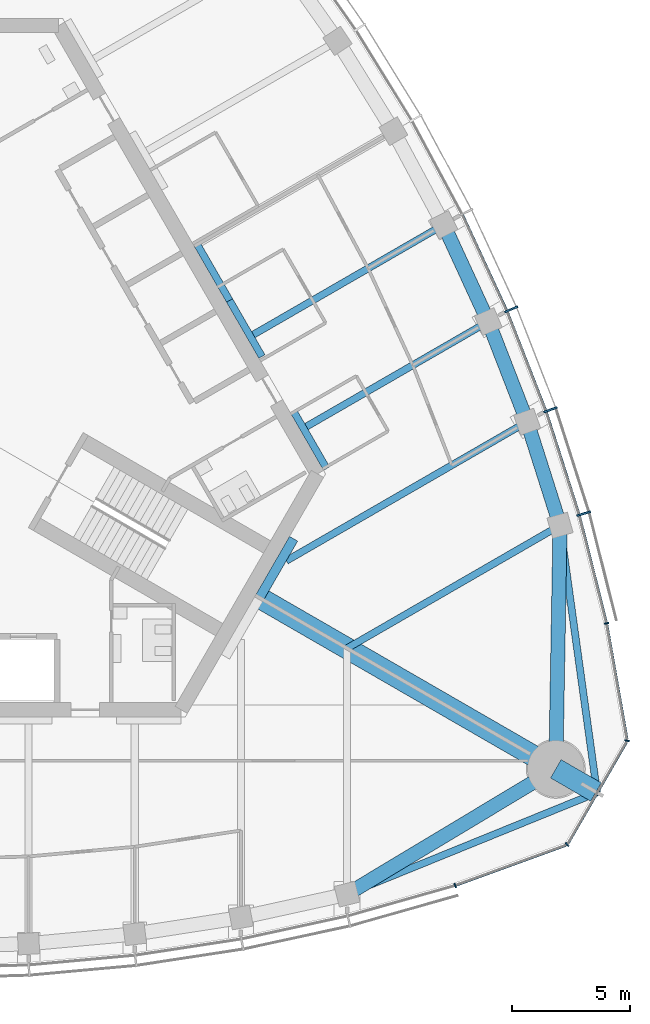
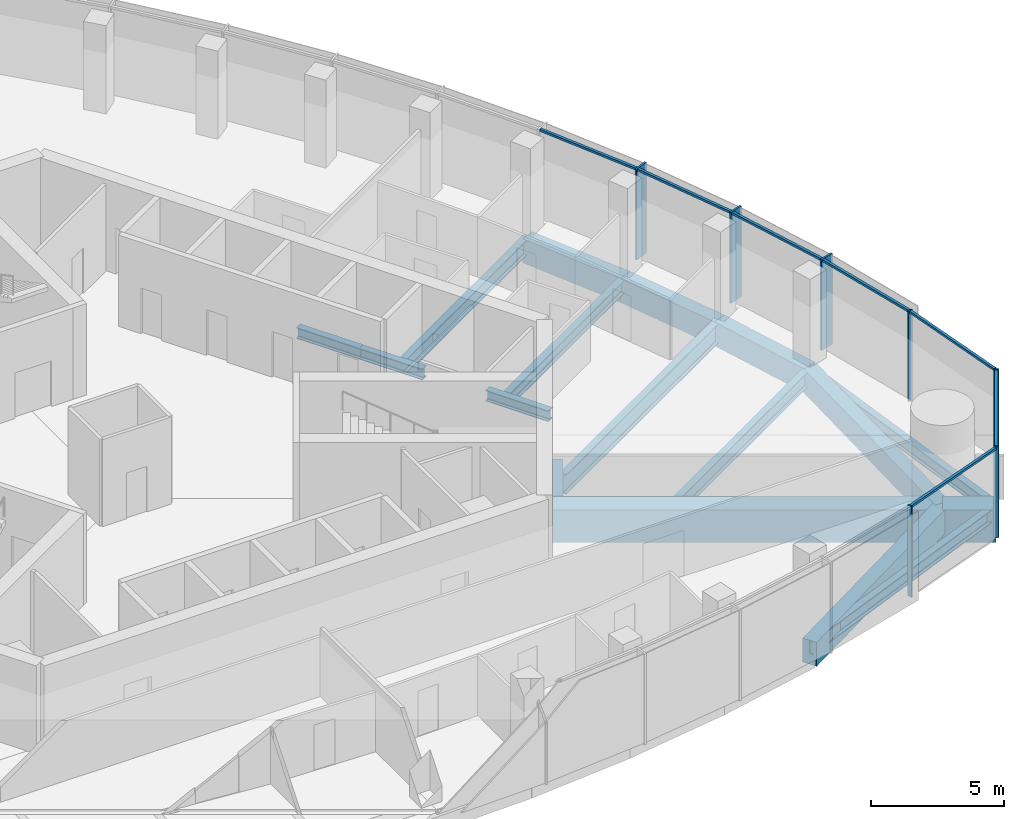
# One storey, part 4 of 16: 17 beams, 14 members, 2 elements without a shape of their own.
"""IFC4 building model written with IfcOpenShell, lengths in metres."""

import ifcopenshell
import ifcopenshell.guid

model = None  # the IFC model being written
_history = None  # IfcOwnerHistory: only IFC2X3 demands one
_inside = {}  # id of a spatial element -> (the spatial element, [elements in it])
_under = {}  # id of a project, library or spatial element -> (it, [spatial elements below it])
_declared = {}  # id of a project -> (the project, [libraries it declares])
_typed = {}  # id of a type object -> (the type object, [elements of that type])
_made_of = {}  # id of a material, layer set ... -> (it, [elements and type objects made of it])


def new_model(schema):
    """Start an empty IFC model of exactly this schema.

    Asked for "IFC4X3", IfcOpenShell would pick the latest addendum, in which some entities
    have other attributes; the version numbers below select the first issue.
    IFC2X3 requires an IfcOwnerHistory on every rooted entity: one is made here for all.
    """
    global model, _history
    if schema == "IFC4X3":
        model = ifcopenshell.file(schema_version=(4, 3, 0, 0))
    else:
        model = ifcopenshell.file(schema=schema)
    _inside.clear()
    _under.clear()
    _declared.clear()
    _typed.clear()
    _made_of.clear()
    _history = None
    if model.schema == "IFC2X3":
        org = make("IfcOrganization", Name="unknown")
        user = make(
            "IfcPersonAndOrganization",
            ThePerson=make("IfcPerson", FamilyName="unknown"),
            TheOrganization=org,
        )
        app = make(
            "IfcApplication",
            ApplicationDeveloper=org,
            Version="unknown",
            ApplicationFullName="unknown",
            ApplicationIdentifier="unknown",
        )
        _history = make(
            "IfcOwnerHistory",
            OwningUser=user,
            OwningApplication=app,
            ChangeAction="ADDED",
            CreationDate=0,
        )
    return model


def make(cls, **values):
    """One entity of the class cls with the attributes given. An attribute that is None is left unset."""
    return model.create_entity(
        cls, **{name: value for name, value in values.items() if value is not None}
    )


def rooted(cls, **values):
    """An entity with a GlobalId (a new one), such as an element, a storey or a relation."""
    return make(cls, GlobalId=ifcopenshell.guid.new(), OwnerHistory=_history, **values)


def si_unit(unit_type, name, prefix=None):
    """IfcSIUnit, for example si_unit("LENGTHUNIT", "METRE", prefix="MILLI")."""
    return make("IfcSIUnit", UnitType=unit_type, Prefix=prefix, Name=name)


def assignment(units):
    """IfcUnitAssignment: the units of a project."""
    return None if units is None else make("IfcUnitAssignment", Units=units)


def point(xyz):
    """IfcCartesianPoint."""
    return None if xyz is None else make("IfcCartesianPoint", Coordinates=xyz)


def direction(xyz):
    """IfcDirection."""
    return None if xyz is None else make("IfcDirection", DirectionRatios=xyz)


def frame(location, z_axis=None, x_axis=None):
    """IfcAxis2Placement3D, a coordinate frame: its origin and axes. An axis left out is left unset."""
    return make(
        "IfcAxis2Placement3D",
        Location=point(location),
        Axis=direction(z_axis),
        RefDirection=direction(x_axis),
    )


def frame_2d(location, x_axis=None):
    """IfcAxis2Placement2D, a coordinate frame in the plane: its origin and x axis."""
    return make(
        "IfcAxis2Placement2D", Location=point(location), RefDirection=direction(x_axis)
    )


def origin():
    """The frame at (0, 0, 0) with its axes left unset."""
    return frame((0.0, 0.0, 0.0))


def origin_2d():
    """The frame at (0, 0) in the plane with its x axis left unset."""
    return frame_2d((0.0, 0.0))


def place(relative_to, where):
    """IfcLocalPlacement: puts the frame where relative to a parent placement (None: the world)."""
    return make(
        "IfcLocalPlacement", PlacementRelTo=relative_to, RelativePlacement=where
    )


def context(
    kind, dimensions, precision=None, world=None, true_north=None, identifier=None
):
    """IfcGeometricRepresentationContext, for example the 3D "Model" context."""
    return make(
        "IfcGeometricRepresentationContext",
        ContextIdentifier=identifier,
        ContextType=kind,
        CoordinateSpaceDimension=dimensions,
        Precision=precision,
        WorldCoordinateSystem=world,
        TrueNorth=true_north,
    )


def subcontext(parent, identifier, kind, view, scale=None):
    """IfcGeometricRepresentationSubContext, for example "Body" below "Model"."""
    return make(
        "IfcGeometricRepresentationSubContext",
        ContextIdentifier=identifier,
        ContextType=kind,
        ParentContext=parent,
        TargetScale=scale,
        TargetView=view,
    )


def project(units=None, contexts=None):
    """IfcProject with its units and contexts."""
    return rooted(
        "IfcProject",
        Name="project",
        RepresentationContexts=contexts,
        UnitsInContext=assignment(units),
    )


def spatial(cls, under=None, at=None, **own):
    """A site, building, storey or space (cls), placed at a placement, below another one or the project."""
    s = rooted(cls, ObjectPlacement=at, **own)
    if under is not None:
        _under.setdefault(under.id(), (under, []))[1].append(s)
    return s


def profile(cls, at=None, kind="AREA", **sizes):
    """A parametric profile (cls). Its sizes go by their IFC names, for example OverallWidth=200.0."""
    return make(cls, ProfileType=kind, Position=at, **sizes)


def rectangle(**sizes):
    """IfcRectangleProfileDef."""
    return profile("IfcRectangleProfileDef", **sizes)


def i_section(**sizes):
    """IfcIShapeProfileDef."""
    return profile("IfcIShapeProfileDef", **sizes)


def extrude(swept, where, along, depth):
    """IfcExtrudedAreaSolid: the profile swept, set in the frame where, extruded along a direction by depth."""
    return make(
        "IfcExtrudedAreaSolid",
        SweptArea=swept,
        Position=where,
        ExtrudedDirection=direction(along),
        Depth=depth,
    )


def shape(context_of_items, identifier, shape_type, items):
    """IfcShapeRepresentation: the items that make up one representation, for example the "Body"."""
    return make(
        "IfcShapeRepresentation",
        ContextOfItems=context_of_items,
        RepresentationIdentifier=identifier,
        RepresentationType=shape_type,
        Items=items,
    )


def material(Name=None, Category=None):
    """IfcMaterial."""
    return make("IfcMaterial", Name=Name, Category=Category)


def material_profile(
    of_material, cross_section, Name=None, Category=None, Priority=None
):
    """IfcMaterialProfile: a cross section and its material."""
    return make(
        "IfcMaterialProfile",
        Name=Name,
        Material=of_material,
        Profile=cross_section,
        Priority=Priority,
        Category=Category,
    )


def profile_set(profiles, Name=None, composite=None):
    """IfcMaterialProfileSet."""
    return make(
        "IfcMaterialProfileSet",
        Name=Name,
        MaterialProfiles=profiles,
        CompositeProfile=composite,
    )


def made_of(thing, what):
    """Note that an element or type object is made of a material, layer set ...; save() writes the relation."""
    if what is not None:
        _made_of.setdefault(what.id(), (what, []))[1].append(thing)
    return thing


def type_object(cls, material=None, **own):
    """A type object (cls), such as IfcWallType, which elements share."""
    return made_of(rooted(cls, **own), material)


def element(
    cls,
    number,
    at=None,
    inside=None,
    cuts=None,
    type_object=None,
    material=None,
    context=None,
    identifier="Body",
    shape_type=None,
    held_by="IfcProductDefinitionShape",
    body=None,
    shapes=None,
    **own,
):
    """One element of the class cls, such as IfcWall. Its Tag is "e" and its number.

    at: its placement. inside: the storey or other place that contains it. cuts: it is an
    opening in that element (IfcRelVoidsElement). A single representation is given by context,
    identifier, shape_type and body (its items); several are given by shapes. held_by: the class
    of the entity that holds the representations. save() writes the other relations.
    """
    e = rooted(cls, Tag="e%d" % number, ObjectPlacement=at, **own)
    if body is not None:
        shapes = [shape(context, identifier, shape_type, body)]
    if shapes is not None:
        e.Representation = make(held_by, Representations=shapes)
    if inside is not None:
        _inside.setdefault(inside.id(), (inside, []))[1].append(e)
    if cuts is not None:
        rooted(
            "IfcRelVoidsElement", RelatingBuildingElement=cuts, RelatedOpeningElement=e
        )
    if type_object is not None:
        _typed.setdefault(type_object.id(), (type_object, []))[1].append(e)
    return made_of(e, material)


def aggregate(whole, parts):
    """IfcRelAggregates: a whole, such as a stair, and the parts it consists of."""
    return rooted("IfcRelAggregates", RelatingObject=whole, RelatedObjects=parts)


def save(model, path):
    """Write the relations noted so far, then the file.

    IfcRelAggregates (storeys below a building ...), IfcRelContainedInSpatialStructure (elements
    in a storey), IfcRelDefinesByType, IfcRelAssociatesMaterial and IfcRelDeclares: one each for
    every whole, place, type object, material and project.
    """
    for whole, parts in _under.values():
        aggregate(whole, parts)
    for where, things in _inside.values():
        rooted(
            "IfcRelContainedInSpatialStructure",
            RelatedElements=things,
            RelatingStructure=where,
        )
    for kind, things in _typed.values():
        rooted("IfcRelDefinesByType", RelatedObjects=things, RelatingType=kind)
    for what, things in _made_of.values():
        rooted("IfcRelAssociatesMaterial", RelatedObjects=things, RelatingMaterial=what)
    for by, libraries in _declared.values():
        rooted("IfcRelDeclares", RelatingContext=by, RelatedDefinitions=libraries)
    model.write(path)


model = new_model("IFC4")

# Units and contexts
model_context = context("Model", 3, precision=1e-05, world=origin(), true_north=direction((0.0, 1.0)))
body_context = subcontext(model_context, "Body", "Model", "MODEL_VIEW")
ifc_project = project(units=[si_unit("LENGTHUNIT", "METRE"), si_unit("AREAUNIT", "SQUARE_METRE"), si_unit("VOLUMEUNIT", "CUBIC_METRE"), si_unit("PLANEANGLEUNIT", "RADIAN"), si_unit("MASSUNIT", "GRAM", prefix="KILO")], contexts=[model_context])

# Site, building, storey
site_placement = place(None, origin())
site = spatial("IfcSite", under=ifc_project, at=site_placement, CompositionType="ELEMENT")
building_placement = place(site_placement, origin())
building = spatial("IfcBuilding", under=site, at=building_placement, Name="Trefoil Bronze Tower", CompositionType="ELEMENT")
storey_placement = place(building_placement, frame((0.0, 0.0, 318.300048828125)))
storey = spatial("IfcBuildingStorey", under=building, at=storey_placement, Name="L73", CompositionType="ELEMENT", Elevation=318.300048828125)

# Curtain wall, members
ifc_material_1 = material(Name="Tinted solar-control glass", Category="glass")
curtain_wall_type_1 = type_object("IfcCurtainWallType", Name="Bronze office curtain wall", PredefinedType="USERDEFINED", material=ifc_material_1)
curtain_wall_1_placement = place(storey_placement, origin())
curtain_wall_1 = element("IfcCurtainWall", 1, at=curtain_wall_1_placement, inside=storey, type_object=curtain_wall_type_1, Name="CW-A L73 F2", ObjectType="CURTAIN WALL", PredefinedType="USERDEFINED")
ifc_material_2 = material(Name="Bronze-finish aluminium", Category="aluminium")
ifc_material_profile_1 = material_profile(ifc_material_2, rectangle(XDim=0.60009765625, YDim=0.080078125, at=origin_2d()), Name="CW-A mullion")
ifc_profile_set_1 = profile_set([ifc_material_profile_1], Name="Bronze-finish aluminium")
member_type_1 = type_object("IfcMemberType", Name="Bronze office curtain wall mullion", PredefinedType="MULLION", material=ifc_profile_set_1)
member_1_placement = place(storey_placement, frame((28.02978515625, -4.685546875, 0.0), z_axis=(0.0, 0.0, 1.0), x_axis=(-0.961395843746, -0.275169096426, 0.0)))
member_1 = element("IfcMember", 2, at=member_1_placement, type_object=member_type_1, Name="CW-A L73 F2 mullion 2", PredefinedType="MULLION", context=body_context, shape_type="SweptSolid", body=[
    extrude(rectangle(XDim=0.60009765625, YDim=0.080078125, at=origin_2d()), origin(), (0.0, 0.0, 1.0), 4.179931640625),
])
member_2_placement = place(storey_placement, frame((26.618896484375, -0.282958984375, 0.0), z_axis=(0.0, 0.0, 1.0), x_axis=(-0.942448408407, -0.334351607581, 0.0)))
member_2 = element("IfcMember", 3, at=member_2_placement, type_object=member_type_1, Name="CW-A L73 F2 mullion 3", PredefinedType="MULLION", context=body_context, shape_type="SweptSolid", body=[
    extrude(rectangle(XDim=0.60009765625, YDim=0.080078125, at=origin_2d()), origin(), (0.0, 0.0, 1.0), 4.179931640625),
])
member_3_placement = place(storey_placement, frame((24.958984375, 3.975830078125, 0.0), z_axis=(0.0, 0.0, 1.0), x_axis=(-0.920205407004, -0.391435829888, 0.0)))
member_3 = element("IfcMember", 4, at=member_3_placement, type_object=member_type_1, Name="CW-A L73 F2 mullion 4", PredefinedType="MULLION", context=body_context, shape_type="SweptSolid", body=[
    extrude(rectangle(XDim=0.60009765625, YDim=0.080078125, at=origin_2d()), origin(), (0.0, 0.0, 1.0), 4.179931640625),
])
ifc_material_3 = material(Name="Bronze-finish aluminium", Category="aluminium")
ifc_material_profile_2 = material_profile(ifc_material_3, rectangle(XDim=0.1201171875, YDim=0.10009765625, at=origin_2d()), Name="CW-A transom")
ifc_profile_set_2 = profile_set([ifc_material_profile_2], Name="Bronze-finish aluminium")
member_type_2 = type_object("IfcMemberType", Name="Bronze office curtain wall transom", PredefinedType="USERDEFINED", material=ifc_profile_set_2)
member_4_placement = place(storey_placement, frame((28.986328125, -9.288330078125, 4.1298828125), z_axis=(-0.244908148095, 0.969546285123, 0.0), x_axis=(-0.969546285123, -0.244908148095, 0.0)))
member_4 = element("IfcMember", 5, at=member_4_placement, type_object=member_type_2, Name="CW-A L73 F2 transom 1", ObjectType="TRANSOM", PredefinedType="USERDEFINED", context=body_context, shape_type="SweptSolid", body=[
    extrude(rectangle(XDim=0.1201171875, YDim=0.10009765625, at=origin_2d()), origin(), (0.0, 0.0, 1.0), 4.6474609375),
])
member_5_placement = place(storey_placement, frame((27.824462890625, -4.699462890625, 4.1298828125), z_axis=(-0.305198606794, 0.95228872219, 0.0), x_axis=(-0.95228872219, -0.305198606794, 0.0)))
member_5 = element("IfcMember", 6, at=member_5_placement, type_object=member_type_2, Name="CW-A L73 F2 transom 2", ObjectType="TRANSOM", PredefinedType="USERDEFINED", context=body_context, shape_type="SweptSolid", body=[
    extrude(rectangle(XDim=0.1201171875, YDim=0.10009765625, at=origin_2d()), origin(), (0.0, 0.0, 1.0), 4.5244140625),
])
member_6_placement = place(storey_placement, frame((26.414794921875, -0.3095703125, 4.1298828125), z_axis=(-0.363178486404, 0.931719586042, 0.0), x_axis=(-0.931719586042, -0.363178486404, 0.0)))
member_6 = element("IfcMember", 7, at=member_6_placement, type_object=member_type_2, Name="CW-A L73 F2 transom 3", ObjectType="TRANSOM", PredefinedType="USERDEFINED", context=body_context, shape_type="SweptSolid", body=[
    extrude(rectangle(XDim=0.1201171875, YDim=0.10009765625, at=origin_2d()), origin(), (0.0, 0.0, 1.0), 4.472412109375),
])
member_7_placement = place(storey_placement, frame((24.7568359375, 3.9365234375, 4.1298828125), z_axis=(-0.4192988407, 0.907848270466, 0.0), x_axis=(-0.907848270466, -0.4192988407, 0.0)))
member_7 = element("IfcMember", 8, at=member_7_placement, type_object=member_type_2, Name="CW-A L73 F2 transom 4", ObjectType="TRANSOM", PredefinedType="USERDEFINED", context=body_context, shape_type="SweptSolid", body=[
    extrude(rectangle(XDim=0.1201171875, YDim=0.10009765625, at=origin_2d()), origin(), (0.0, 0.0, 1.0), 4.4384765625),
])
aggregate(curtain_wall_1, [member_1, member_2, member_3, member_4, member_5, member_6, member_7])

ifc_material_4 = material(Name="Tinted solar-control glass", Category="glass")
curtain_wall_type_2 = type_object("IfcCurtainWallType", Name="Bronze rounded corner curtain wall", PredefinedType="USERDEFINED", material=ifc_material_4)
curtain_wall_2_placement = place(storey_placement, origin())
curtain_wall_2 = element("IfcCurtainWall", 9, at=curtain_wall_2_placement, inside=storey, type_object=curtain_wall_type_2, Name="CW-B L73 K1", ObjectType="CURTAIN WALL", PredefinedType="USERDEFINED")
ifc_material_5 = material(Name="Bronze-finish aluminium", Category="aluminium")
ifc_material_profile_3 = material_profile(ifc_material_5, rectangle(XDim=0.199951171875, YDim=0.06005859375, at=origin_2d()), Name="CW-B mullion")
ifc_profile_set_3 = profile_set([ifc_material_profile_3], Name="Bronze-finish aluminium")
member_type_3 = type_object("IfcMemberType", Name="Bronze rounded corner curtain wall mullion", PredefinedType="MULLION", material=ifc_profile_set_3)
member_8_placement = place(storey_placement, frame((22.58251953125, -20.445556640625, 0.0), z_axis=(0.0, 0.0, 1.0), x_axis=(-0.342020143326, 0.939692620786, 0.0)))
member_8 = element("IfcMember", 10, at=member_8_placement, type_object=member_type_3, Name="CW-B L73 K1 mullion 1", PredefinedType="MULLION", context=body_context, shape_type="SweptSolid", body=[
    extrude(rectangle(XDim=0.199951171875, YDim=0.06005859375, at=origin_2d()), origin(), (0.0, 0.0, 1.0), 4.179931640625),
])
member_9_placement = place(storey_placement, frame((27.326416015625, -18.712646484375, 0.0), z_axis=(0.0, 0.0, 1.0), x_axis=(-0.642787609687, 0.766044443119, 0.0)))
member_9 = element("IfcMember", 11, at=member_9_placement, type_object=member_type_3, Name="CW-B L73 K1 mullion 2", PredefinedType="MULLION", context=body_context, shape_type="SweptSolid", body=[
    extrude(rectangle(XDim=0.199951171875, YDim=0.06005859375, at=origin_2d()), origin(), (0.0, 0.0, 1.0), 4.179931640625),
])
member_10_placement = place(storey_placement, frame((29.86865234375, -14.30908203125, 0.0), z_axis=(0.0, 0.0, 1.0), x_axis=(-0.984807753012, 0.173648177667, 0.0)))
member_10 = element("IfcMember", 12, at=member_10_placement, type_object=member_type_3, Name="CW-B L73 K1 mullion 3", PredefinedType="MULLION", context=body_context, shape_type="SweptSolid", body=[
    extrude(rectangle(XDim=0.199951171875, YDim=0.06005859375, at=origin_2d()), origin(), (0.0, 0.0, 1.0), 4.179931640625),
])
member_11_placement = place(storey_placement, frame((28.99755859375, -9.334228515625, 0.0), z_axis=(0.0, 0.0, 1.0), x_axis=(-0.984807753012, -0.173648177667, 0.0)))
member_11 = element("IfcMember", 13, at=member_11_placement, type_object=member_type_3, Name="CW-B L73 K1 mullion 4", PredefinedType="MULLION", context=body_context, shape_type="SweptSolid", body=[
    extrude(rectangle(XDim=0.199951171875, YDim=0.06005859375, at=origin_2d()), origin(), (0.0, 0.0, 1.0), 4.179931640625),
])
ifc_material_6 = material(Name="Bronze-finish aluminium", Category="aluminium")
ifc_material_profile_4 = material_profile(ifc_material_6, rectangle(XDim=0.1201171875, YDim=0.10009765625, at=origin_2d()), Name="CW-B transom")
ifc_profile_set_4 = profile_set([ifc_material_profile_4], Name="Bronze-finish aluminium")
member_type_4 = type_object("IfcMemberType", Name="Bronze rounded corner curtain wall transom", PredefinedType="USERDEFINED", material=ifc_profile_set_4)
member_12_placement = place(storey_placement, frame((22.610595703125, -20.435302734375, 4.1298828125), z_axis=(0.93969990549, 0.342000128103, 0.0), x_axis=(-0.342000128103, 0.93969990549, 0.0)))
member_12 = element("IfcMember", 14, at=member_12_placement, type_object=member_type_4, Name="CW-B L73 K1 transom 1", ObjectType="TRANSOM", PredefinedType="USERDEFINED", context=body_context, shape_type="SweptSolid", body=[
    extrude(rectangle(XDim=0.1201171875, YDim=0.10009765625, at=origin_2d()), origin(), (0.0, 0.0, 1.0), 4.956298828125),
])
member_13_placement = place(storey_placement, frame((27.36376953125, -18.659912109375, 4.1298828125), z_axis=(0.499985403706, 0.866033830794, 0.0), x_axis=(-0.866033830794, 0.499985403706, 0.0)))
member_13 = element("IfcMember", 15, at=member_13_placement, type_object=member_type_4, Name="CW-B L73 K1 transom 2", ObjectType="TRANSOM", PredefinedType="USERDEFINED", context=body_context, shape_type="SweptSolid", body=[
    extrude(rectangle(XDim=0.1201171875, YDim=0.10009765625, at=origin_2d()), origin(), (0.0, 0.0, 1.0), 4.956298828125),
])
member_14_placement = place(storey_placement, frame((29.863525390625, -14.244873046875, 4.1298828125), z_axis=(-0.173633591509, 0.984810324834, 0.0), x_axis=(-0.984810324834, -0.173633591509, 0.0)))
member_14 = element("IfcMember", 16, at=member_14_placement, type_object=member_type_4, Name="CW-B L73 K1 transom 3", ObjectType="TRANSOM", PredefinedType="USERDEFINED", context=body_context, shape_type="SweptSolid", body=[
    extrude(rectangle(XDim=0.1201171875, YDim=0.10009765625, at=origin_2d()), origin(), (0.0, 0.0, 1.0), 4.956298828125),
])
aggregate(curtain_wall_2, [member_8, member_9, member_10, member_11, member_12, member_13, member_14])

# Beams
ifc_material_7 = material(Name="Steel C355", Category="steel")
ifc_material_profile_5 = material_profile(ifc_material_7, i_section(OverallWidth=0.300048828125, OverallDepth=0.5, WebThickness=0.014404296875, FlangeThickness=0.028076171875, FilletRadius=0.027099609375, at=origin_2d()), Name="HEB 500")
ifc_profile_set_5 = profile_set([ifc_material_profile_5], Name="Steel C355")
beam_type_1 = type_object("IfcBeamType", Name="Core seat beam HEB 500", PredefinedType="BEAM", material=ifc_profile_set_5)
for number, where, z_axis, x_axis, name in (
    (17, (17.1328125, -2.77490234375, -0.449951171875), (-0.499969057507, 0.866043267704, 0.0), (-0.866043267704, -0.499969057507, 0.0), "Core seat beam F2/-2 L73"),
    (18, (14.390380859375, 1.97509765625, -0.449951171875), (-0.499969057507, 0.866043267704, 0.0), (-0.866043267704, -0.499969057507, 0.0), "Core seat beam F2/-1 L73"),
    (19, (13.019287109375, 4.35009765625, -0.449951171875), (-0.500035825175, 0.866004719122, 0.0), (-0.866004719122, -0.500035825175, 0.0), "Core seat beam F2/+0 L73"),
):
    element("IfcBeam", number, at=place(storey_placement, frame(where, z_axis=z_axis, x_axis=x_axis)), inside=storey, type_object=beam_type_1, Name=name, PredefinedType="BEAM", context=body_context, shape_type="SweptSolid", body=[
        extrude(i_section(OverallWidth=0.300048828125, OverallDepth=0.5, WebThickness=0.014404296875, FlangeThickness=0.028076171875, FilletRadius=0.027099609375, at=origin_2d()), origin(), (0.0, 0.0, 1.0), 2.742431640625),
    ])
ifc_material_8 = material(Name="Steel C355", Category="steel")
ifc_material_profile_6 = material_profile(ifc_material_8, i_section(OverallWidth=0.39990234375, OverallDepth=1.199951171875, WebThickness=0.02001953125, FlangeThickness=0.0400390625, FilletRadius=0.010009765625, at=origin_2d()), Name="WPG 1200")
ifc_profile_set_6 = profile_set([ifc_material_profile_6], Name="Steel C355")
beam_type_2 = type_object("IfcBeamType", Name="Core seat beam WPG 1200", PredefinedType="BEAM", material=ifc_profile_set_6)
beam_1_placement = place(storey_placement, frame((14.289306640625, -8.25, -0.800048828125), z_axis=(0.500059191753, 0.865991226713, 0.0), x_axis=(-0.865991226713, 0.500059191753, 0.0)))
element("IfcBeam", 20, at=beam_1_placement, inside=storey, type_object=beam_type_2, Name="Core seat beam F2/-3 L73", PredefinedType="BEAM", context=body_context, shape_type="SweptSolid", body=[
    extrude(i_section(OverallWidth=0.39990234375, OverallDepth=1.199951171875, WebThickness=0.02001953125, FlangeThickness=0.0400390625, FilletRadius=0.010009765625, at=origin_2d()), origin(), (0.0, 0.0, 1.0), 2.886962890625),
])
ifc_material_9 = material(Name="Concrete B80", Category="concrete")
ifc_material_profile_7 = material_profile(ifc_material_9, rectangle(XDim=0.89990234375, YDim=1.5, at=origin_2d()), Name="RC 900x1500")
ifc_profile_set_7 = profile_set([ifc_material_profile_7], Name="Concrete B80")
beam_type_3 = type_object("IfcBeamType", Name="Corner cantilever RC 900x1500", PredefinedType="BEAM", material=ifc_profile_set_7)
beam_2_placement = place(storey_placement, frame((26.8466796875, -15.5, -0.949951171875), z_axis=(0.866010470582, -0.500025864173, 0.0), x_axis=(0.500025864173, 0.866010470582, 0.0)))
element("IfcBeam", 21, at=beam_2_placement, inside=storey, type_object=beam_type_3, Name="Corner cantilever K1 L73", PredefinedType="BEAM", context=body_context, shape_type="SweptSolid", body=[
    extrude(rectangle(XDim=0.89990234375, YDim=1.5, at=origin_2d()), origin(), (0.0, 0.0, 1.0), 2.02001953125),
])
ifc_material_10 = material(Name="Steel C355", Category="steel")
ifc_material_profile_8 = material_profile(ifc_material_10, i_section(OverallWidth=0.300048828125, OverallDepth=0.60009765625, WebThickness=0.015380859375, FlangeThickness=0.030029296875, FilletRadius=0.027099609375, at=origin_2d()), Name="HEB 600")
ifc_profile_set_8 = profile_set([ifc_material_profile_8], Name="Steel C355")
beam_type_4 = type_object("IfcBeamType", Name="Corner edge beam HEB 600", PredefinedType="BEAM", material=ifc_profile_set_8)
beam_3_placement = place(storey_placement, frame((18.0, -20.816162109375, -0.5), z_axis=(0.926419351914, 0.376493272714, 0.0), x_axis=(-0.376493272714, 0.926419351914, 0.0)))
element("IfcBeam", 22, at=beam_3_placement, inside=storey, type_object=beam_type_4, Name="Corner edge beam F1A L73", PredefinedType="BEAM", context=body_context, shape_type="SweptSolid", body=[
    extrude(i_section(OverallWidth=0.300048828125, OverallDepth=0.60009765625, WebThickness=0.015380859375, FlangeThickness=0.030029296875, FilletRadius=0.027099609375, at=origin_2d()), origin(), (0.0, 0.0, 1.0), 11.4375),
])
beam_4_placement = place(storey_placement, frame((27.02734375, -5.180419921875, -0.5), z_axis=(0.137143714313, -0.990551160529, 0.0), x_axis=(0.990551160529, 0.137143714313, 0.0)))
element("IfcBeam", 23, at=beam_4_placement, inside=storey, type_object=beam_type_4, Name="Corner edge beam F2B L73", PredefinedType="BEAM", context=body_context, shape_type="SweptSolid", body=[
    extrude(i_section(OverallWidth=0.300048828125, OverallDepth=0.60009765625, WebThickness=0.015380859375, FlangeThickness=0.030029296875, FilletRadius=0.027099609375, at=origin_2d()), origin(), (0.0, 0.0, 1.0), 11.437744140625),
])
ifc_material_11 = material(Name="Concrete B80", Category="concrete")
ifc_material_profile_9 = material_profile(ifc_material_11, rectangle(XDim=0.89990234375, YDim=1.5, at=origin_2d()), Name="RC 900x1500")
ifc_profile_set_9 = profile_set([ifc_material_profile_9], Name="Concrete B80")
beam_type_5 = type_object("IfcBeamType", Name="Corner girder RC 900x1500", PredefinedType="BEAM", material=ifc_profile_set_9)
beam_5_placement = place(storey_placement, frame((14.1162109375, -8.14990234375, -0.949951171875), z_axis=(0.86602074674, -0.500008066151, 0.0), x_axis=(0.500008066151, 0.86602074674, 0.0)))
element("IfcBeam", 24, at=beam_5_placement, inside=storey, type_object=beam_type_5, Name="Corner girder K1 L73", PredefinedType="BEAM", context=body_context, shape_type="SweptSolid", body=[
    extrude(rectangle(XDim=0.89990234375, YDim=1.5, at=origin_2d()), origin(), (0.0, 0.0, 1.0), 14.699951171875),
])
ifc_material_12 = material(Name="Concrete B80", Category="concrete")
ifc_material_profile_10 = material_profile(ifc_material_12, rectangle(XDim=0.60009765625, YDim=1.10009765625, at=origin_2d()), Name="RC 600x1100")
ifc_profile_set_10 = profile_set([ifc_material_profile_10], Name="Concrete B80")
beam_type_6 = type_object("IfcBeamType", Name="End spandrel beam RC 600x1100", PredefinedType="SPANDREL", material=ifc_profile_set_10)
for number, where, z_axis, x_axis, name in (
    (25, (18.0, -20.816162109375, -0.75), (0.857144173035, 0.515076563855, 0.0), (-0.515076563855, 0.857144173035, 0.0), "Spandrel F1.10 L73"),
    (26, (26.8466796875, -15.5, -0.75), (0.017504237714, 0.999846789094, 0.0), (-0.999846789094, 0.017504237714, 0.0), "Spandrel F2.1 L73"),
):
    element("IfcBeam", number, at=place(storey_placement, frame(where, z_axis=z_axis, x_axis=x_axis)), inside=storey, type_object=beam_type_6, Name=name, PredefinedType="SPANDREL", context=body_context, shape_type="SweptSolid", body=[
        extrude(rectangle(XDim=0.60009765625, YDim=1.10009765625, at=origin_2d()), origin(), (0.0, 0.0, 1.0), 10.321044921875),
    ])
ifc_material_13 = material(Name="Steel C355", Category="steel")
ifc_material_profile_11 = material_profile(ifc_material_13, i_section(OverallWidth=0.300048828125, OverallDepth=0.60009765625, WebThickness=0.015380859375, FlangeThickness=0.030029296875, FilletRadius=0.027099609375, at=origin_2d()), Name="HEB 600")
ifc_profile_set_11 = profile_set([ifc_material_profile_11], Name="Steel C355")
beam_type_7 = type_object("IfcBeamType", Name="Floor beam HEB 600", PredefinedType="BEAM", material=ifc_profile_set_11)
beam_6_placement = place(storey_placement, frame((23.98486328125, 3.455322265625, -0.5), z_axis=(-0.866034827411, -0.499983677445, 0.0), x_axis=(0.499983677445, -0.866034827411, 0.0)))
element("IfcBeam", 27, at=beam_6_placement, inside=storey, type_object=beam_type_7, Name="Floor beam F2/-2 L73", PredefinedType="BEAM", context=body_context, shape_type="SweptSolid", body=[
    extrude(i_section(OverallWidth=0.300048828125, OverallDepth=0.60009765625, WebThickness=0.015380859375, FlangeThickness=0.030029296875, FilletRadius=0.027099609375, at=origin_2d()), origin(), (0.0, 0.0, 1.0), 8.899169921875),
])
ifc_material_14 = material(Name="Steel C355", Category="steel")
ifc_material_profile_12 = material_profile(ifc_material_14, i_section(OverallWidth=0.300048828125, OverallDepth=0.699951171875, WebThickness=0.01708984375, FlangeThickness=0.031982421875, FilletRadius=0.027099609375, at=origin_2d()), Name="HEB 700")
ifc_profile_set_12 = profile_set([ifc_material_profile_12], Name="Steel C355")
beam_type_8 = type_object("IfcBeamType", Name="Floor beam HEB 700", PredefinedType="BEAM", material=ifc_profile_set_12)
beam_7_placement = place(storey_placement, frame((27.02734375, -5.180419921875, -0.550048828125), z_axis=(-0.866026453994, -0.499998180979, 0.0), x_axis=(0.499998180979, -0.866026453994, 0.0)))
element("IfcBeam", 28, at=beam_7_placement, inside=storey, type_object=beam_type_8, Name="Floor beam F2/-4 L73", PredefinedType="BEAM", context=body_context, shape_type="SweptSolid", body=[
    extrude(i_section(OverallWidth=0.300048828125, OverallDepth=0.699951171875, WebThickness=0.01708984375, FlangeThickness=0.031982421875, FilletRadius=0.027099609375, at=origin_2d()), origin(), (0.0, 0.0, 1.0), 10.423828125),
])
beam_8_placement = place(storey_placement, frame((22.093994140625, 7.559814453125, -0.550048828125), z_axis=(-0.866026261222, -0.499998514871, 0.0), x_axis=(0.499998514871, -0.866026261222, 0.0)))
element("IfcBeam", 29, at=beam_8_placement, inside=storey, type_object=beam_type_8, Name="Floor beam F2/-1 L73", PredefinedType="BEAM", context=body_context, shape_type="SweptSolid", body=[
    extrude(i_section(OverallWidth=0.300048828125, OverallDepth=0.699951171875, WebThickness=0.01708984375, FlangeThickness=0.031982421875, FilletRadius=0.027099609375, at=origin_2d()), origin(), (0.0, 0.0, 1.0), 9.31396484375),
])
ifc_material_15 = material(Name="Steel C355", Category="steel")
ifc_material_profile_13 = material_profile(ifc_material_15, i_section(OverallWidth=0.300048828125, OverallDepth=0.89990234375, WebThickness=0.0185546875, FlangeThickness=0.034912109375, FilletRadius=0.030029296875, at=origin_2d()), Name="HEB 900")
ifc_profile_set_13 = profile_set([ifc_material_profile_13], Name="Steel C355")
beam_type_9 = type_object("IfcBeamType", Name="Floor beam HEB 900", PredefinedType="BEAM", material=ifc_profile_set_13)
beam_9_placement = place(storey_placement, frame((25.631591796875, -0.7900390625, -0.650146484375), z_axis=(-0.866026552003, -0.499998011222, 0.0), x_axis=(0.499998011222, -0.866026552003, 0.0)))
element("IfcBeam", 30, at=beam_9_placement, inside=storey, type_object=beam_type_9, Name="Floor beam F2/-3 L73", PredefinedType="BEAM", context=body_context, shape_type="SweptSolid", body=[
    extrude(i_section(OverallWidth=0.300048828125, OverallDepth=0.89990234375, WebThickness=0.0185546875, FlangeThickness=0.034912109375, FilletRadius=0.030029296875, at=origin_2d()), origin(), (0.0, 0.0, 1.0), 11.78515625),
])
ifc_material_16 = material(Name="Concrete B80", Category="concrete")
ifc_material_profile_14 = material_profile(ifc_material_16, rectangle(XDim=0.60009765625, YDim=1.10009765625, at=origin_2d()), Name="RC 600x1100")
ifc_profile_set_14 = profile_set([ifc_material_profile_14], Name="Concrete B80")
beam_type_10 = type_object("IfcBeamType", Name="Spandrel beam RC 600x1100", PredefinedType="SPANDREL", material=ifc_profile_set_14)
beam_10_placement = place(storey_placement, frame((27.02734375, -5.180419921875, -0.75), z_axis=(-0.302969597344, 0.953000221975, 0.0), x_axis=(-0.953000221975, -0.302969597344, 0.0)))
element("IfcBeam", 31, at=beam_10_placement, inside=storey, type_object=beam_type_10, Name="Spandrel F2.2 L73", PredefinedType="SPANDREL", context=body_context, shape_type="SweptSolid", body=[
    extrude(rectangle(XDim=0.60009765625, YDim=1.10009765625, at=origin_2d()), origin(), (0.0, 0.0, 1.0), 4.60693359375),
])
beam_11_placement = place(storey_placement, frame((25.631591796875, -0.7900390625, -0.75), z_axis=(-0.361636286502, 0.932319256631, 0.0), x_axis=(-0.932319256631, -0.361636286502, 0.0)))
element("IfcBeam", 32, at=beam_11_placement, inside=storey, type_object=beam_type_10, Name="Spandrel F2.3 L73", PredefinedType="SPANDREL", context=body_context, shape_type="SweptSolid", body=[
    extrude(rectangle(XDim=0.60009765625, YDim=1.10009765625, at=origin_2d()), origin(), (0.0, 0.0, 1.0), 4.553466796875),
])
beam_12_placement = place(storey_placement, frame((23.98486328125, 3.455322265625, -0.75), z_axis=(-0.418417425199, 0.90825484215, 0.0), x_axis=(-0.90825484215, -0.418417425199, 0.0)))
element("IfcBeam", 33, at=beam_12_placement, inside=storey, type_object=beam_type_10, Name="Spandrel F2.4 L73", PredefinedType="SPANDREL", context=body_context, shape_type="SweptSolid", body=[
    extrude(rectangle(XDim=0.60009765625, YDim=1.10009765625, at=origin_2d()), origin(), (0.0, 0.0, 1.0), 4.51904296875),
])

save(model, "model.ifc")
